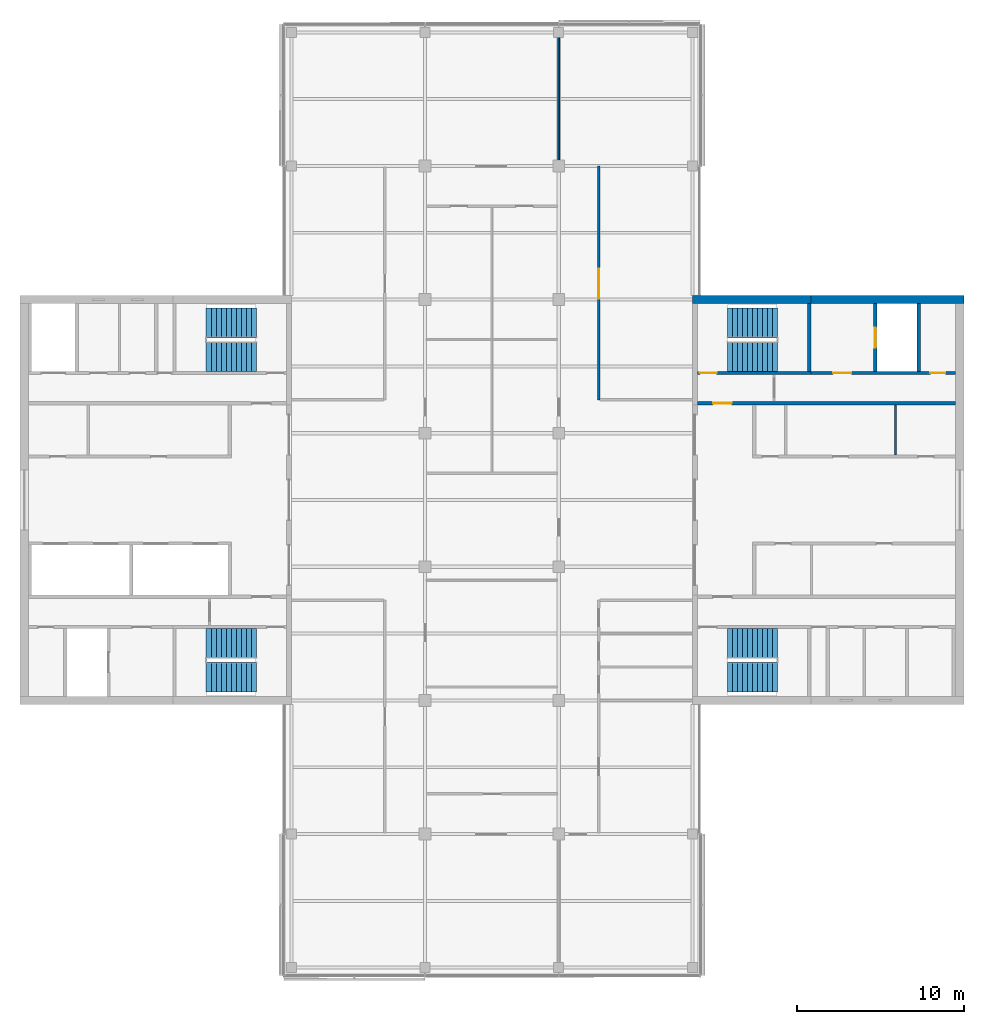
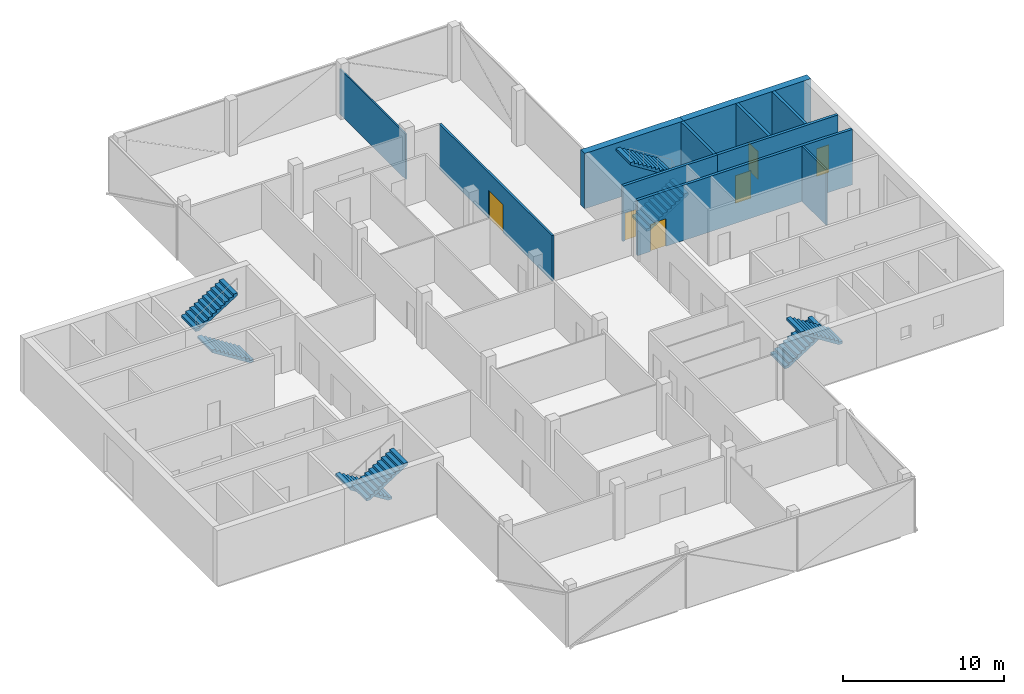
# One storey, part 12 of 15: 11 walls, 8 stair flights, 6 doors, 6 openings, 4 elements without a shape of their own.
"""IFC4 building model written with IfcOpenShell, lengths in metres."""

from ifc_helpers import new_model, si_unit, direction, frame, frame_2d, origin, place, context, subcontext, project, spatial, polyline, rectangle, outline, extrude, material, layer, layer_set, constituent, constituent_set, type_object, element, fill, aggregate, save


model = new_model("IFC4")

# Units and contexts
model_context = context("Model", 3, precision=1e-05, world=origin(), true_north=direction((0.0, 1.0)))
body_context = subcontext(model_context, "Body", "Model", "MODEL_VIEW")
ifc_project = project(units=[si_unit("LENGTHUNIT", "METRE"), si_unit("AREAUNIT", "SQUARE_METRE"), si_unit("VOLUMEUNIT", "CUBIC_METRE"), si_unit("PLANEANGLEUNIT", "RADIAN"), si_unit("MASSUNIT", "GRAM", prefix="KILO")], contexts=[model_context])

# Site, building, storey
site_placement = place(None, origin())
site = spatial("IfcSite", under=ifc_project, at=site_placement, CompositionType="ELEMENT")
building_placement = place(site_placement, origin())
building = spatial("IfcBuilding", under=site, at=building_placement, Name="Crosswind Convention Tower", CompositionType="ELEMENT")
storey_placement = place(building_placement, frame((0.0, 0.0, 266.10009765625)))
storey = spatial("IfcBuildingStorey", under=building, at=storey_placement, Name="L57", CompositionType="ELEMENT", Elevation=266.10009765625)

# Wall, opening, door
ifc_material_1 = material(Name="Concrete C50/60", Category="concrete")
ifc_layer_1 = layer(ifc_material_1, 0.199951171875)
ifc_layer_set_1 = layer_set([ifc_layer_1], Name="Concrete C50/60")
wall_type_1 = type_object("IfcWallType", Name="Concrete shaft and stair wall 200", PredefinedType="SHEAR", material=ifc_layer_set_1)
wall_1_placement = place(storey_placement, frame((137.300048828125, 105.800048828125, 0.0), z_axis=(0.0, 0.0, 1.0), x_axis=(1.0, 0.0, 0.0)))
wall_1 = element("IfcWall", 1, at=wall_1_placement, inside=storey, type_object=wall_type_1, Name="Wall HP E L57", PredefinedType="SHEAR", context=body_context, shape_type="SweptSolid", body=[
    extrude(rectangle(XDim=15.449951171875, YDim=0.199951171875, at=frame_2d((7.72509765625, 0.0))), origin(), (0.0, 0.0, 1.0), 4.199951171875),
])
opening_1_placement = place(wall_1_placement, frame((0.949951171875, 0.0, 0.0)))
opening_1 = element("IfcOpeningElement", 2, at=opening_1_placement, cuts=wall_1, Name="Opening D104", PredefinedType="OPENING", context=body_context, shape_type="SweptSolid", body=[
    extrude(rectangle(XDim=1.10009765625, YDim=2.10009765625, at=frame_2d((0.550048828125, 1.050048828125))), frame((0.0, 0.10986328125, 0.0), z_axis=(0.0, -1.0, 0.0), x_axis=(1.0, 0.0, 0.0)), (0.0, 0.0, 1.0), 0.219970703125),
])
ifc_material_2 = material(Name="Steel fire door", Category="steel")
door_type_1 = type_object("IfcDoorType", Name="Fire-rated single door 1100x2100", OperationType="NOTDEFINED", PredefinedType="DOOR", material=ifc_material_2)
door_1_placement = place(opening_1_placement, origin())
door_1 = element("IfcDoor", 3, at=door_1_placement, inside=storey, type_object=door_type_1, Name="Corridor door L57", ObjectType="D104", OperationType="SINGLE_SWING_LEFT", OverallHeight=2.10009765625, OverallWidth=1.10009765625, PredefinedType="DOOR", context=body_context, shape_type="SweptSolid", body=[
    extrude(rectangle(XDim=1.10009765625, YDim=2.10009765625, at=frame_2d((0.550048828125, 1.050048828125))), frame((0.0, 0.02490234375, 0.0), z_axis=(0.0, -1.0, 0.0), x_axis=(1.0, 0.0, 0.0)), (0.0, 0.0, 1.0), 0.050048828125),
])
fill(opening_1, door_1)

# Wall
wall_2_placement = place(storey_placement, frame((144.0, 107.699951171875, 0.0), z_axis=(0.0, 0.0, 1.0), x_axis=(0.0, 1.0, 0.0)))
element("IfcWall", 4, at=wall_2_placement, inside=storey, type_object=wall_type_1, Name="Wall PSE E L57", PredefinedType="SHEAR", context=body_context, shape_type="SweptSolid", body=[
    extrude(rectangle(XDim=4.050048828125, YDim=0.199951171875, at=frame_2d((2.02490234375, 0.0))), origin(), (0.0, 0.0, 1.0), 4.199951171875),
])

# Wall, opening, door
wall_3_placement = place(storey_placement, frame((147.949951171875, 107.699951171875, 0.0), z_axis=(0.0, 0.0, 1.0), x_axis=(0.0, 1.0, 0.0)))
wall_3 = element("IfcWall", 5, at=wall_3_placement, inside=storey, type_object=wall_type_1, Name="Wall PFLW E L57", PredefinedType="SHEAR", context=body_context, shape_type="SweptSolid", body=[
    extrude(rectangle(XDim=4.050048828125, YDim=0.199951171875, at=frame_2d((2.02490234375, 0.0))), origin(), (0.0, 0.0, 1.0), 4.199951171875),
])
opening_2_placement = place(wall_3_placement, frame((1.425048828125, 0.0, 0.0)))
opening_2 = element("IfcOpeningElement", 6, at=opening_2_placement, cuts=wall_3, Name="Opening LD1", PredefinedType="OPENING", context=body_context, shape_type="SweptSolid", body=[
    extrude(rectangle(XDim=1.199951171875, YDim=2.10009765625, at=frame_2d((0.60009765625, 1.050048828125))), frame((0.0, 0.10986328125, 0.0), z_axis=(0.0, -1.0, 0.0), x_axis=(1.0, 0.0, 0.0)), (0.0, 0.0, 1.0), 0.219970703125),
])
ifc_material_3 = material(Name="Stainless steel", Category="steel")
door_type_2 = type_object("IfcDoorType", Name="Lift landing door 1200x2100", OperationType="DOUBLE_DOOR_SLIDING", PredefinedType="DOOR", material=ifc_material_3)
door_2_placement = place(opening_2_placement, origin())
door_2 = element("IfcDoor", 7, at=door_2_placement, inside=storey, type_object=door_type_2, Name="Landing door FF1 L57", ObjectType="LD1", OperationType="DOUBLE_DOOR_SLIDING", OverallHeight=2.10009765625, OverallWidth=1.199951171875, PredefinedType="DOOR", context=body_context, shape_type="SweptSolid", body=[
    extrude(rectangle(XDim=1.199951171875, YDim=2.10009765625, at=frame_2d((0.60009765625, 1.050048828125))), frame((0.0, 0.02490234375, 0.0), z_axis=(0.0, -1.0, 0.0), x_axis=(1.0, 0.0, 0.0)), (0.0, 0.0, 1.0), 0.050048828125),
])
fill(opening_2, door_2)

# Wall
wall_4_placement = place(storey_placement, frame((150.550048828125, 107.699951171875, 0.0), z_axis=(0.0, 0.0, 1.0), x_axis=(0.0, 1.0, 0.0)))
element("IfcWall", 8, at=wall_4_placement, inside=storey, type_object=wall_type_1, Name="Wall PFSE E L57", PredefinedType="SHEAR", context=body_context, shape_type="SweptSolid", body=[
    extrude(rectangle(XDim=4.050048828125, YDim=0.199951171875, at=frame_2d((2.02490234375, 0.0))), origin(), (0.0, 0.0, 1.0), 4.199951171875),
])

# Wall, opening, door
wall_5_placement = place(storey_placement, frame((137.300048828125, 107.60009765625, 0.0), z_axis=(0.0, 0.0, 1.0), x_axis=(1.0, 0.0, 0.0)))
wall_5 = element("IfcWall", 9, at=wall_5_placement, inside=storey, type_object=wall_type_1, Name="Wall PCW E L57", PredefinedType="SHEAR", context=body_context, shape_type="SweptSolid", body=[
    extrude(rectangle(XDim=6.800048828125, YDim=0.199951171875, at=frame_2d((3.39990234375, 0.0))), origin(), (0.0, 0.0, 1.0), 4.199951171875),
])
opening_3_placement = place(wall_5_placement, frame((0.14990234375, 0.0, 0.0)))
opening_3 = element("IfcOpeningElement", 10, at=opening_3_placement, cuts=wall_5, Name="Opening D103", PredefinedType="OPENING", context=body_context, shape_type="SweptSolid", body=[
    extrude(rectangle(XDim=1.0, YDim=2.10009765625, at=frame_2d((0.5, 1.050048828125))), frame((0.0, 0.10986328125, 0.0), z_axis=(0.0, -1.0, 0.0), x_axis=(1.0, 0.0, 0.0)), (0.0, 0.0, 1.0), 0.219970703125),
])
door_type_3 = type_object("IfcDoorType", Name="Fire-rated single door 1000x2100", OperationType="NOTDEFINED", PredefinedType="DOOR", material=ifc_material_2)
door_3_placement = place(opening_3_placement, origin())
door_3 = element("IfcDoor", 11, at=door_3_placement, inside=storey, type_object=door_type_3, Name="Stair ST1 door L57", ObjectType="D103", OperationType="SINGLE_SWING_LEFT", OverallHeight=2.10009765625, OverallWidth=1.0, PredefinedType="DOOR", context=body_context, shape_type="SweptSolid", body=[
    extrude(rectangle(XDim=1.0, YDim=2.10009765625, at=frame_2d((0.5, 1.050048828125))), frame((0.0, 0.02490234375, 0.0), z_axis=(0.0, -1.0, 0.0), x_axis=(1.0, 0.0, 0.0)), (0.0, 0.0, 1.0), 0.050048828125),
])
fill(opening_3, door_3)

# Wall, openings, doors
wall_6_placement = place(storey_placement, frame((144.10009765625, 107.60009765625, 0.0), z_axis=(0.0, 0.0, 1.0), x_axis=(1.0, 0.0, 0.0)))
wall_6 = element("IfcWall", 12, at=wall_6_placement, inside=storey, type_object=wall_type_1, Name="Wall PCX E L57", PredefinedType="SHEAR", context=body_context, shape_type="SweptSolid", body=[
    extrude(rectangle(XDim=8.64990234375, YDim=0.199951171875, at=frame_2d((4.324951171875, 0.0))), origin(), (0.0, 0.0, 1.0), 4.199951171875),
])
opening_4_placement = place(wall_6_placement, frame((1.324951171875, 0.0, 0.0)))
opening_4 = element("IfcOpeningElement", 13, at=opening_4_placement, cuts=wall_6, Name="Opening D104", PredefinedType="OPENING", context=body_context, shape_type="SweptSolid", body=[
    extrude(rectangle(XDim=1.10009765625, YDim=2.10009765625, at=frame_2d((0.550048828125, 1.050048828125))), frame((0.0, 0.10986328125, 0.0), z_axis=(0.0, -1.0, 0.0), x_axis=(1.0, 0.0, 0.0)), (0.0, 0.0, 1.0), 0.219970703125),
])
opening_5_placement = place(wall_6_placement, frame((7.14990234375, 0.0, 0.0)))
opening_5 = element("IfcOpeningElement", 14, at=opening_5_placement, cuts=wall_6, Name="Opening D106", PredefinedType="OPENING", context=body_context, shape_type="SweptSolid", body=[
    extrude(rectangle(XDim=0.89990234375, YDim=2.10009765625, at=frame_2d((0.449951171875, 1.050048828125))), frame((0.0, 0.10986328125, 0.0), z_axis=(0.0, -1.0, 0.0), x_axis=(1.0, 0.0, 0.0)), (0.0, 0.0, 1.0), 0.219970703125),
])
door_4_placement = place(opening_4_placement, origin())
door_4 = element("IfcDoor", 15, at=door_4_placement, inside=storey, type_object=door_type_1, Name="Fire-fighting lobby FF1 door L57", ObjectType="D104", OperationType="SINGLE_SWING_RIGHT", OverallHeight=2.10009765625, OverallWidth=1.10009765625, PredefinedType="DOOR", context=body_context, shape_type="SweptSolid", body=[
    extrude(rectangle(XDim=1.10009765625, YDim=2.10009765625, at=frame_2d((0.550048828125, 1.050048828125))), frame((0.0, 0.02490234375, 0.0), z_axis=(0.0, -1.0, 0.0), x_axis=(1.0, 0.0, 0.0)), (0.0, 0.0, 1.0), 0.050048828125),
])
fill(opening_4, door_4)
ifc_material_4 = material(Name="Timber door", Category="wood")
door_type_4 = type_object("IfcDoorType", Name="Single leaf door 900x2100", OperationType="NOTDEFINED", PredefinedType="DOOR", material=ifc_material_4)
door_5_placement = place(opening_5_placement, origin())
door_5 = element("IfcDoor", 16, at=door_5_placement, inside=storey, type_object=door_type_4, Name="Door to cleaners' store L57", ObjectType="D106", OperationType="SINGLE_SWING_RIGHT", OverallHeight=2.10009765625, OverallWidth=0.89990234375, PredefinedType="DOOR", context=body_context, shape_type="SweptSolid", body=[
    extrude(rectangle(XDim=0.89990234375, YDim=2.10009765625, at=frame_2d((0.449951171875, 1.050048828125))), frame((0.0, 0.02490234375, 0.0), z_axis=(0.0, -1.0, 0.0), x_axis=(1.0, 0.0, 0.0)), (0.0, 0.0, 1.0), 0.050048828125),
])
fill(opening_5, door_5)

# Walls
ifc_material_5 = material(Name="Gypsum plasterboard partition", Category="gypsum")
ifc_layer_2 = layer(ifc_material_5, 0.125)
ifc_layer_set_2 = layer_set([ifc_layer_2], Name="Drywall partition wall 125")
wall_type_2 = type_object("IfcWallType", Name="Drywall partition wall 125", PredefinedType="PARTITIONING", material=ifc_layer_set_2)
wall_7_placement = place(storey_placement, frame((149.1650390625, 102.699951171875, 0.0), z_axis=(0.0, 0.0, 1.0), x_axis=(0.0, 1.0, 0.0)))
element("IfcWall", 17, at=wall_7_placement, inside=storey, type_object=wall_type_2, Name="Wall RPP2 E L57", PredefinedType="PARTITIONING", context=body_context, shape_type="SweptSolid", body=[
    extrude(rectangle(XDim=3.0, YDim=0.125, at=frame_2d((1.5, 0.0))), origin(), (0.0, 0.0, 1.0), 4.199951171875),
])
ifc_material_6 = material(Name="Plasterboard partition", Category="gypsum")
ifc_layer_3 = layer(ifc_material_6, 0.10009765625)
ifc_layer_set_3 = layer_set([ifc_layer_3], Name="PARTITION 100 METAL STUD")
wall_type_3 = type_object("IfcWallType", Name="PARTITION 100 METAL STUD", PredefinedType="PARTITIONING", material=ifc_layer_set_3)
wall_8_placement = place(storey_placement, frame((129.0, 120.074951171875, 0.0), z_axis=(0.0, 0.0, 1.0), x_axis=(0.0, 1.0, 0.0)))
element("IfcWall", 18, at=wall_8_placement, inside=storey, type_object=wall_type_3, Name="Partition wall WT40", PredefinedType="PARTITIONING", context=body_context, shape_type="SweptSolid", body=[
    extrude(rectangle(XDim=8.195068359375, YDim=0.10009765625, at=frame_2d((4.09765625, 0.0))), origin(), (0.0, 0.0, 1.0), 3.442626953125),
])

# Wall, opening, door
ifc_material_7 = material(Name="Fire-board partition with mineral wool", Category="gypsum")
ifc_layer_4 = layer(ifc_material_7, 0.14990234375)
ifc_layer_set_4 = layer_set([ifc_layer_4], Name="TENANCY WALL 150 TWO-HOUR BOARD")
wall_type_4 = type_object("IfcWallType", Name="TENANCY WALL 150 TWO-HOUR BOARD", PredefinedType="PARTITIONING", material=ifc_layer_set_4)
wall_9_placement = place(storey_placement, frame((131.39990234375, 106.0, 0.0), z_axis=(0.0, 0.0, 1.0), x_axis=(0.0, 1.0, 0.0)))
wall_9 = element("IfcWall", 19, at=wall_9_placement, inside=storey, type_object=wall_type_4, Name="Tenancy wall WT41", PredefinedType="PARTITIONING", context=body_context, shape_type="SweptSolid", body=[
    extrude(rectangle(XDim=14.0, YDim=0.14990234375, at=frame_2d((7.0, 0.0))), origin(), (0.0, 0.0, 1.0), 3.442626953125),
])
opening_6_placement = place(wall_9_placement, frame((6.050048828125, 0.0, 0.0)))
opening_6 = element("IfcOpeningElement", 20, at=opening_6_placement, cuts=wall_9, Name="Opening L57-50", PredefinedType="OPENING", context=body_context, shape_type="SweptSolid", body=[
    extrude(rectangle(XDim=1.800048828125, YDim=2.10009765625, at=frame_2d((0.89990234375, 1.050048828125))), frame((0.0, 0.0849609375, 0.0), z_axis=(0.0, -1.0, 0.0), x_axis=(1.0, 0.0, 0.0)), (0.0, 0.0, 1.0), 0.169921875),
])
ifc_material_8 = material(Name="Timber fire door", Category="wood")
door_type_5 = type_object("IfcDoorType", Name="TENANCY ENTRANCE DOUBLE DOOR 1800X2100 FD30S", OperationType="DOUBLE_DOOR_SINGLE_SWING", PredefinedType="DOOR", material=ifc_material_8)
door_6_placement = place(opening_6_placement, frame((1.800048828125, 0.0, 0.0), z_axis=(0.0, 0.0, 1.0), x_axis=(-1.0, 0.0, 0.0)))
door_6 = element("IfcDoor", 21, at=door_6_placement, inside=storey, type_object=door_type_5, Name="Door L57-50", ObjectType="D42", OperationType="DOUBLE_DOOR_SINGLE_SWING", OverallHeight=2.10009765625, OverallWidth=1.800048828125, PredefinedType="DOOR", context=body_context, shape_type="SweptSolid", body=[
    extrude(rectangle(XDim=1.800048828125, YDim=2.10009765625, at=frame_2d((0.89990234375, 1.050048828125))), frame((0.0, 0.02490234375, 0.0), z_axis=(0.0, -1.0, 0.0), x_axis=(1.0, 0.0, 0.0)), (0.0, 0.0, 1.0), 0.050048828125),
])
fill(opening_6, door_6)

# Walls
ifc_material_9 = material(Name="Concrete C60/75", Category="concrete")
ifc_constituent_1 = constituent(ifc_material_9, Name="Structure")
ifc_material_10 = material(Name="Terracotta rainscreen", Category="ceramic")
ifc_constituent_2 = constituent(ifc_material_10, Name="Facing")
ifc_constituent_set = constituent_set(constituents=[ifc_constituent_1, ifc_constituent_2], Name="Concrete C60/75, Terracotta rainscreen")
wall_type_5 = type_object("IfcWallType", Name="Terracotta rainscreen on concrete core wall 500", PredefinedType="SHEAR", material=ifc_constituent_set)
wall_10_placement = place(storey_placement, frame((137.0, 112.0, 0.0), z_axis=(0.0, 0.0, 1.0), x_axis=(1.0, 0.0, 0.0)))
element("IfcWall", 22, at=wall_10_placement, inside=storey, type_object=wall_type_5, Name="Wall N1 E L57", PredefinedType="SHEAR", context=body_context, shape_type="SweptSolid", body=[
    extrude(rectangle(XDim=7.10009765625, YDim=0.5, at=frame_2d((3.550048828125, 0.0))), origin(), (0.0, 0.0, 1.0), 4.199951171875),
])
wall_11_placement = place(storey_placement, frame((144.10009765625, 112.0, 0.0), z_axis=(0.0, 0.0, 1.0), x_axis=(1.0, 0.0, 0.0)))
element("IfcWall", 23, at=wall_11_placement, inside=storey, type_object=wall_type_5, Name="Wall N2 E L57", PredefinedType="SHEAR", context=body_context, shape_type="SweptSolid", body=[
    extrude(rectangle(XDim=9.14990234375, YDim=0.5, at=frame_2d((4.574951171875, 0.0))), origin(), (0.0, 0.0, 1.0), 4.199951171875),
])

# Stair, stair flights
ifc_material_11 = material(Name="Concrete C40/50", Category="concrete")
stair_type = type_object("IfcStairType", Name="Exit stair 1800 wide, 2 flights of 11 risers", PredefinedType="HALF_TURN_STAIR", material=ifc_material_11)
stair_1_placement = place(storey_placement, origin())
stair_1 = element("IfcStair", 24, at=stair_1_placement, inside=storey, type_object=stair_type, Name="Exit stair ST1 L57", ObjectType="ST5", PredefinedType="HALF_TURN_STAIR")
stair_flight_type = type_object("IfcStairFlightType", Name="Stair flight 1800 wide, 11 risers (SF4)", PredefinedType="STRAIGHT", material=ifc_material_11)
stair_flight_1_placement = place(storey_placement, frame((139.10009765625, 108.60009765625, 0.0), z_axis=(0.0, 0.0, 1.0), x_axis=(1.0, 0.0, 0.0)))
stair_flight_1 = element("IfcStairFlight", 25, at=stair_flight_1_placement, type_object=stair_flight_type, Name="ST1 flight 1", NumberOfRisers=11, NumberOfTreads=10, PredefinedType="STRAIGHT", RiserHeight=0.190909091, TreadLength=0.3, context=body_context, shape_type="SweptSolid", body=[
    extrude(outline(polyline([(0.0, 0.0), (0.0, 0.19091796875), (0.300048828125, 0.19091796875), (0.300048828125, 0.3818359375), (0.60009765625, 0.3818359375), (0.60009765625, 0.57275390625), (0.89990234375, 0.57275390625), (0.89990234375, 0.763671875), (1.199951171875, 0.763671875), (1.199951171875, 0.95458984375), (1.5, 0.95458984375), (1.5, 1.1455078125), (1.800048828125, 1.1455078125), (1.800048828125, 1.33642578125), (2.10009765625, 1.33642578125), (2.10009765625, 1.52734375), (2.39990234375, 1.52734375), (2.39990234375, 1.71826171875), (2.699951171875, 1.71826171875), (2.699951171875, 1.9091796875), (3.0, 1.9091796875), (3.0, 2.10009765625), (3.0, 1.7314453125), (0.279296875, 0.0), (0.0, 0.0)])), frame((0.0, 0.89990234375, 0.0), z_axis=(0.0, -1.0, 0.0), x_axis=(1.0, 0.0, 0.0)), (0.0, 0.0, 1.0), 1.800048828125),
])
stair_flight_2_placement = place(storey_placement, frame((142.10009765625, 110.60009765625, 2.099853515625), z_axis=(0.0, 0.0, 1.0), x_axis=(-1.0, 0.0, 0.0)))
stair_flight_2 = element("IfcStairFlight", 26, at=stair_flight_2_placement, type_object=stair_flight_type, Name="ST1 flight 2", NumberOfRisers=11, NumberOfTreads=10, PredefinedType="STRAIGHT", RiserHeight=0.190909091, TreadLength=0.3, context=body_context, shape_type="SweptSolid", body=[
    extrude(outline(polyline([(0.0, 0.0), (0.0, 0.19091796875), (0.300048828125, 0.19091796875), (0.300048828125, 0.3818359375), (0.60009765625, 0.3818359375), (0.60009765625, 0.57275390625), (0.89990234375, 0.57275390625), (0.89990234375, 0.763671875), (1.199951171875, 0.763671875), (1.199951171875, 0.95458984375), (1.5, 0.95458984375), (1.5, 1.1455078125), (1.800048828125, 1.1455078125), (1.800048828125, 1.33642578125), (2.10009765625, 1.33642578125), (2.10009765625, 1.52734375), (2.39990234375, 1.52734375), (2.39990234375, 1.71826171875), (2.699951171875, 1.71826171875), (2.699951171875, 1.9091796875), (3.0, 1.9091796875), (3.0, 2.10009765625), (3.0, 1.7314453125), (0.279296875, 0.0), (0.0, 0.0)])), frame((0.0, 0.89990234375, 0.0), z_axis=(0.0, -1.0, 0.0), x_axis=(1.0, 0.0, 0.0)), (0.0, 0.0, 1.0), 1.800048828125),
])
aggregate(stair_1, [stair_flight_1, stair_flight_2])

stair_2_placement = place(storey_placement, origin())
stair_2 = element("IfcStair", 27, at=stair_2_placement, inside=storey, type_object=stair_type, Name="Exit stair ST2 L57", ObjectType="ST5", PredefinedType="HALF_TURN_STAIR")
stair_flight_3_placement = place(storey_placement, frame((139.10009765625, 91.39990234375, 0.0), z_axis=(0.0, 0.0, 1.0), x_axis=(1.0, 0.0, 0.0)))
stair_flight_3 = element("IfcStairFlight", 28, at=stair_flight_3_placement, type_object=stair_flight_type, Name="ST2 flight 1", NumberOfRisers=11, NumberOfTreads=10, PredefinedType="STRAIGHT", RiserHeight=0.190909091, TreadLength=0.3, context=body_context, shape_type="SweptSolid", body=[
    extrude(outline(polyline([(0.0, 0.0), (0.0, 0.19091796875), (0.300048828125, 0.19091796875), (0.300048828125, 0.3818359375), (0.60009765625, 0.3818359375), (0.60009765625, 0.57275390625), (0.89990234375, 0.57275390625), (0.89990234375, 0.763671875), (1.199951171875, 0.763671875), (1.199951171875, 0.95458984375), (1.5, 0.95458984375), (1.5, 1.1455078125), (1.800048828125, 1.1455078125), (1.800048828125, 1.33642578125), (2.10009765625, 1.33642578125), (2.10009765625, 1.52734375), (2.39990234375, 1.52734375), (2.39990234375, 1.71826171875), (2.699951171875, 1.71826171875), (2.699951171875, 1.9091796875), (3.0, 1.9091796875), (3.0, 2.10009765625), (3.0, 1.7314453125), (0.279296875, 0.0), (0.0, 0.0)])), frame((0.0, 0.89990234375, 0.0), z_axis=(0.0, -1.0, 0.0), x_axis=(1.0, 0.0, 0.0)), (0.0, 0.0, 1.0), 1.800048828125),
])
stair_flight_4_placement = place(storey_placement, frame((142.10009765625, 89.39990234375, 2.099853515625), z_axis=(0.0, 0.0, 1.0), x_axis=(-1.0, 0.0, 0.0)))
stair_flight_4 = element("IfcStairFlight", 29, at=stair_flight_4_placement, type_object=stair_flight_type, Name="ST2 flight 2", NumberOfRisers=11, NumberOfTreads=10, PredefinedType="STRAIGHT", RiserHeight=0.190909091, TreadLength=0.3, context=body_context, shape_type="SweptSolid", body=[
    extrude(outline(polyline([(0.0, 0.0), (0.0, 0.19091796875), (0.300048828125, 0.19091796875), (0.300048828125, 0.3818359375), (0.60009765625, 0.3818359375), (0.60009765625, 0.57275390625), (0.89990234375, 0.57275390625), (0.89990234375, 0.763671875), (1.199951171875, 0.763671875), (1.199951171875, 0.95458984375), (1.5, 0.95458984375), (1.5, 1.1455078125), (1.800048828125, 1.1455078125), (1.800048828125, 1.33642578125), (2.10009765625, 1.33642578125), (2.10009765625, 1.52734375), (2.39990234375, 1.52734375), (2.39990234375, 1.71826171875), (2.699951171875, 1.71826171875), (2.699951171875, 1.9091796875), (3.0, 1.9091796875), (3.0, 2.10009765625), (3.0, 1.7314453125), (0.279296875, 0.0), (0.0, 0.0)])), frame((0.0, 0.89990234375, 0.0), z_axis=(0.0, -1.0, 0.0), x_axis=(1.0, 0.0, 0.0)), (0.0, 0.0, 1.0), 1.800048828125),
])
aggregate(stair_2, [stair_flight_3, stair_flight_4])

stair_3_placement = place(storey_placement, origin())
stair_3 = element("IfcStair", 30, at=stair_3_placement, inside=storey, type_object=stair_type, Name="Exit stair ST3 L57", ObjectType="ST5", PredefinedType="HALF_TURN_STAIR")
stair_flight_5_placement = place(storey_placement, frame((110.89990234375, 91.39990234375, 0.0), z_axis=(0.0, 0.0, 1.0), x_axis=(-1.0, 0.0, 0.0)))
stair_flight_5 = element("IfcStairFlight", 31, at=stair_flight_5_placement, type_object=stair_flight_type, Name="ST3 flight 1", NumberOfRisers=11, NumberOfTreads=10, PredefinedType="STRAIGHT", RiserHeight=0.190909091, TreadLength=0.3, context=body_context, shape_type="SweptSolid", body=[
    extrude(outline(polyline([(0.0, 0.0), (0.0, 0.19091796875), (0.300048828125, 0.19091796875), (0.300048828125, 0.3818359375), (0.60009765625, 0.3818359375), (0.60009765625, 0.57275390625), (0.89990234375, 0.57275390625), (0.89990234375, 0.763671875), (1.199951171875, 0.763671875), (1.199951171875, 0.95458984375), (1.5, 0.95458984375), (1.5, 1.1455078125), (1.800048828125, 1.1455078125), (1.800048828125, 1.33642578125), (2.10009765625, 1.33642578125), (2.10009765625, 1.52734375), (2.39990234375, 1.52734375), (2.39990234375, 1.71826171875), (2.699951171875, 1.71826171875), (2.699951171875, 1.9091796875), (3.0, 1.9091796875), (3.0, 2.10009765625), (3.0, 1.7314453125), (0.279296875, 0.0), (0.0, 0.0)])), frame((0.0, 0.89990234375, 0.0), z_axis=(0.0, -1.0, 0.0), x_axis=(1.0, 0.0, 0.0)), (0.0, 0.0, 1.0), 1.800048828125),
])
stair_flight_6_placement = place(storey_placement, frame((107.89990234375, 89.39990234375, 2.099853515625), z_axis=(0.0, 0.0, 1.0), x_axis=(1.0, 0.0, 0.0)))
stair_flight_6 = element("IfcStairFlight", 32, at=stair_flight_6_placement, type_object=stair_flight_type, Name="ST3 flight 2", NumberOfRisers=11, NumberOfTreads=10, PredefinedType="STRAIGHT", RiserHeight=0.190909091, TreadLength=0.3, context=body_context, shape_type="SweptSolid", body=[
    extrude(outline(polyline([(0.0, 0.0), (0.0, 0.19091796875), (0.300048828125, 0.19091796875), (0.300048828125, 0.3818359375), (0.60009765625, 0.3818359375), (0.60009765625, 0.57275390625), (0.89990234375, 0.57275390625), (0.89990234375, 0.763671875), (1.199951171875, 0.763671875), (1.199951171875, 0.95458984375), (1.5, 0.95458984375), (1.5, 1.1455078125), (1.800048828125, 1.1455078125), (1.800048828125, 1.33642578125), (2.10009765625, 1.33642578125), (2.10009765625, 1.52734375), (2.39990234375, 1.52734375), (2.39990234375, 1.71826171875), (2.699951171875, 1.71826171875), (2.699951171875, 1.9091796875), (3.0, 1.9091796875), (3.0, 2.10009765625), (3.0, 1.7314453125), (0.279296875, 0.0), (0.0, 0.0)])), frame((0.0, 0.89990234375, 0.0), z_axis=(0.0, -1.0, 0.0), x_axis=(1.0, 0.0, 0.0)), (0.0, 0.0, 1.0), 1.800048828125),
])
aggregate(stair_3, [stair_flight_5, stair_flight_6])

stair_4_placement = place(storey_placement, origin())
stair_4 = element("IfcStair", 33, at=stair_4_placement, inside=storey, type_object=stair_type, Name="Exit stair ST4 L57", ObjectType="ST5", PredefinedType="HALF_TURN_STAIR")
stair_flight_7_placement = place(storey_placement, frame((110.89990234375, 108.60009765625, 0.0), z_axis=(0.0, 0.0, 1.0), x_axis=(-1.0, 0.0, 0.0)))
stair_flight_7 = element("IfcStairFlight", 34, at=stair_flight_7_placement, type_object=stair_flight_type, Name="ST4 flight 1", NumberOfRisers=11, NumberOfTreads=10, PredefinedType="STRAIGHT", RiserHeight=0.190909091, TreadLength=0.3, context=body_context, shape_type="SweptSolid", body=[
    extrude(outline(polyline([(0.0, 0.0), (0.0, 0.19091796875), (0.300048828125, 0.19091796875), (0.300048828125, 0.3818359375), (0.60009765625, 0.3818359375), (0.60009765625, 0.57275390625), (0.89990234375, 0.57275390625), (0.89990234375, 0.763671875), (1.199951171875, 0.763671875), (1.199951171875, 0.95458984375), (1.5, 0.95458984375), (1.5, 1.1455078125), (1.800048828125, 1.1455078125), (1.800048828125, 1.33642578125), (2.10009765625, 1.33642578125), (2.10009765625, 1.52734375), (2.39990234375, 1.52734375), (2.39990234375, 1.71826171875), (2.699951171875, 1.71826171875), (2.699951171875, 1.9091796875), (3.0, 1.9091796875), (3.0, 2.10009765625), (3.0, 1.7314453125), (0.279296875, 0.0), (0.0, 0.0)])), frame((0.0, 0.89990234375, 0.0), z_axis=(0.0, -1.0, 0.0), x_axis=(1.0, 0.0, 0.0)), (0.0, 0.0, 1.0), 1.800048828125),
])
stair_flight_8_placement = place(storey_placement, frame((107.89990234375, 110.60009765625, 2.099853515625), z_axis=(0.0, 0.0, 1.0), x_axis=(1.0, 0.0, 0.0)))
stair_flight_8 = element("IfcStairFlight", 35, at=stair_flight_8_placement, type_object=stair_flight_type, Name="ST4 flight 2", NumberOfRisers=11, NumberOfTreads=10, PredefinedType="STRAIGHT", RiserHeight=0.190909091, TreadLength=0.3, context=body_context, shape_type="SweptSolid", body=[
    extrude(outline(polyline([(0.0, 0.0), (0.0, 0.19091796875), (0.300048828125, 0.19091796875), (0.300048828125, 0.3818359375), (0.60009765625, 0.3818359375), (0.60009765625, 0.57275390625), (0.89990234375, 0.57275390625), (0.89990234375, 0.763671875), (1.199951171875, 0.763671875), (1.199951171875, 0.95458984375), (1.5, 0.95458984375), (1.5, 1.1455078125), (1.800048828125, 1.1455078125), (1.800048828125, 1.33642578125), (2.10009765625, 1.33642578125), (2.10009765625, 1.52734375), (2.39990234375, 1.52734375), (2.39990234375, 1.71826171875), (2.699951171875, 1.71826171875), (2.699951171875, 1.9091796875), (3.0, 1.9091796875), (3.0, 2.10009765625), (3.0, 1.7314453125), (0.279296875, 0.0), (0.0, 0.0)])), frame((0.0, 0.89990234375, 0.0), z_axis=(0.0, -1.0, 0.0), x_axis=(1.0, 0.0, 0.0)), (0.0, 0.0, 1.0), 1.800048828125),
])
aggregate(stair_4, [stair_flight_7, stair_flight_8])

save(model, "model.ifc")
